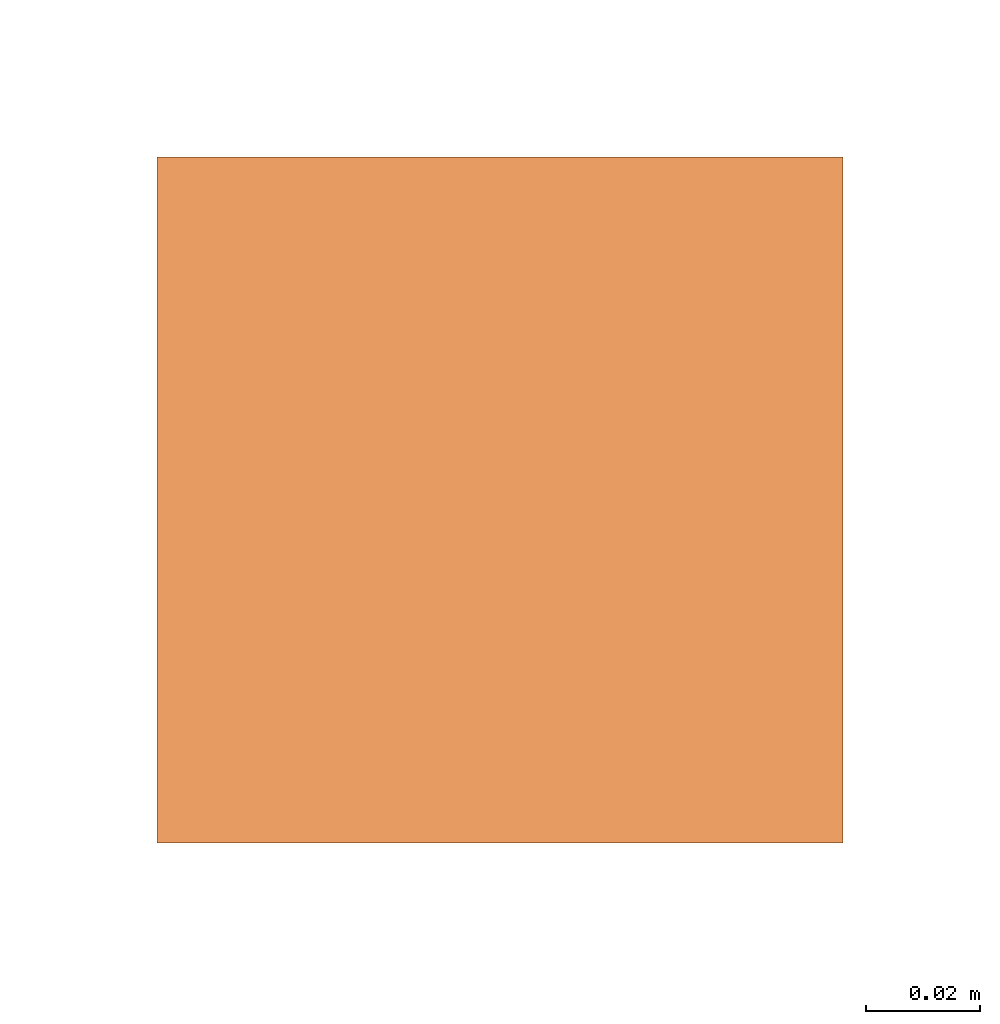
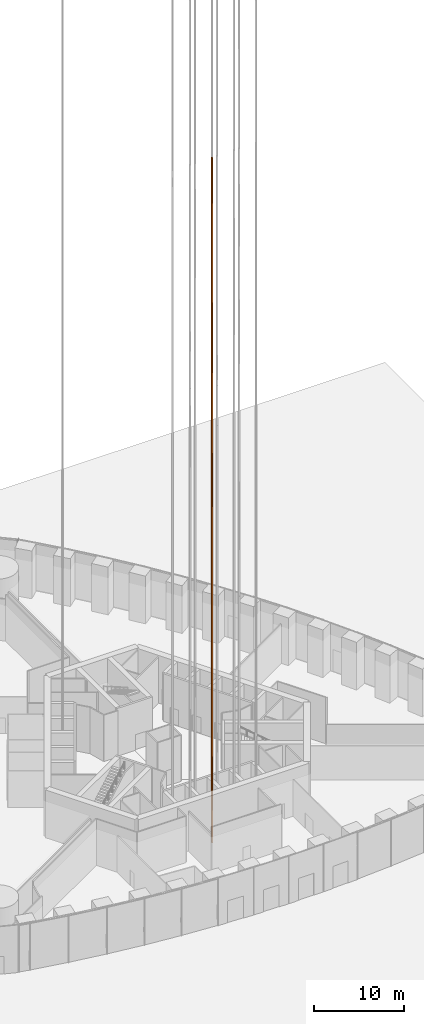
# One storey, part 27 of 43: 1 proxy.
"""IFC4 building model written with IfcOpenShell, lengths in metres."""

from ifc_helpers import new_model, si_unit, direction, frame, origin, origin_2d, place, context, subcontext, project, spatial, rectangle, extrude, element, save


model = new_model("IFC4")

# Units and contexts
model_context = context("Model", 3, precision=1e-05, world=origin(), true_north=direction((0.0, 1.0)))
body_context = subcontext(model_context, "Body", "Model", "MODEL_VIEW")
ifc_project = project(units=[si_unit("LENGTHUNIT", "METRE"), si_unit("AREAUNIT", "SQUARE_METRE"), si_unit("VOLUMEUNIT", "CUBIC_METRE"), si_unit("PLANEANGLEUNIT", "RADIAN"), si_unit("MASSUNIT", "GRAM", prefix="KILO")], contexts=[model_context])

# Site, building, storey
site_placement = place(None, origin())
site = spatial("IfcSite", under=ifc_project, at=site_placement, CompositionType="ELEMENT")
building_placement = place(site_placement, origin())
building = spatial("IfcBuilding", under=site, at=building_placement, Name="Trefoil Bronze Tower", CompositionType="ELEMENT")
storey_placement = place(building_placement, origin())
storey = spatial("IfcBuildingStorey", under=building, at=storey_placement, Name="L00", CompositionType="ELEMENT", Elevation=0.0)

# Proxy
proxy_placement = place(storey_placement, frame((-0.31494140625, -11.3125, -1.60009765625), z_axis=(0.0, 0.0, 1.0), x_axis=(1.0, 0.0, 0.0)))
element("IfcBuildingElementProxy", 1, at=proxy_placement, inside=storey, Name="Lift P12 guide rail 2", ObjectType="LIFT GUIDE RAIL", PredefinedType="USERDEFINED", context=body_context, shape_type="SweptSolid", body=[
    extrude(rectangle(XDim=0.1201171875, YDim=0.1201171875, at=origin_2d()), origin(), (0.0, 0.0, 1.0), 93.35009765625),
])

save(model, "model.ifc")
